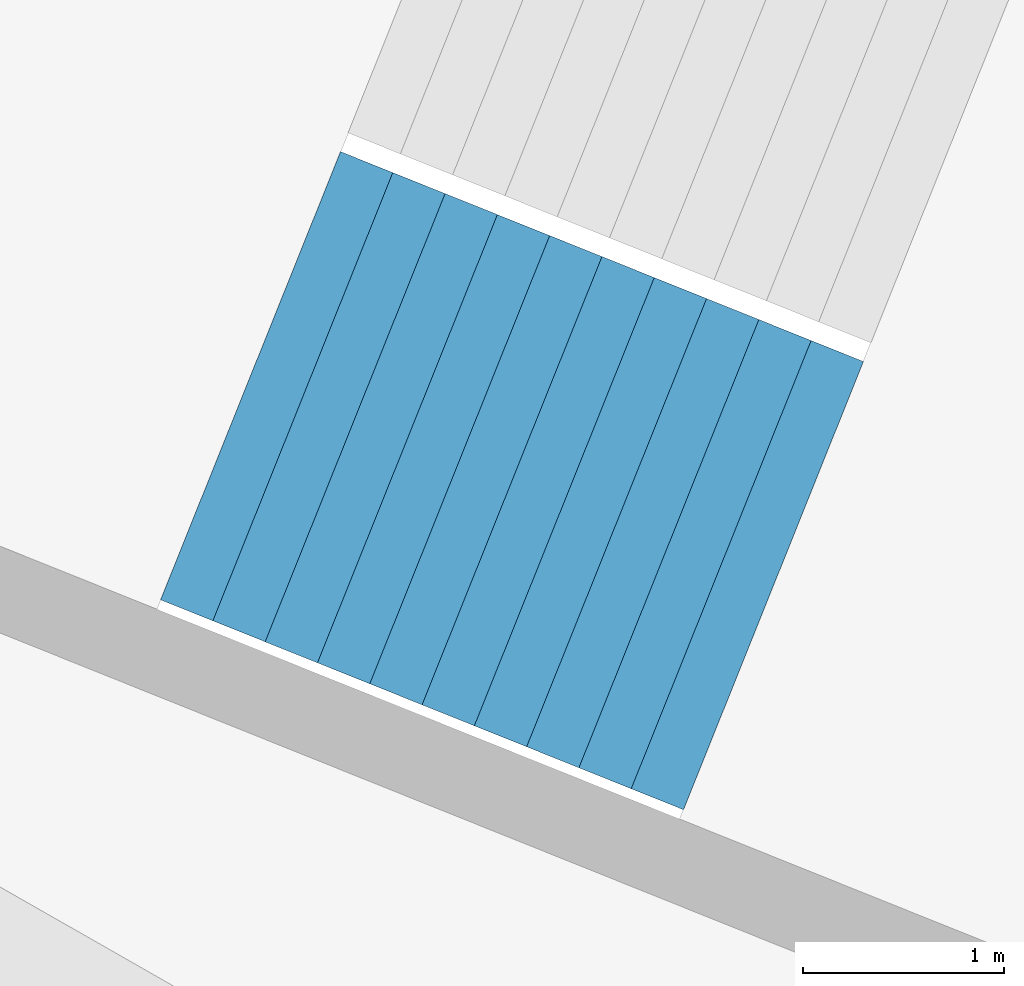
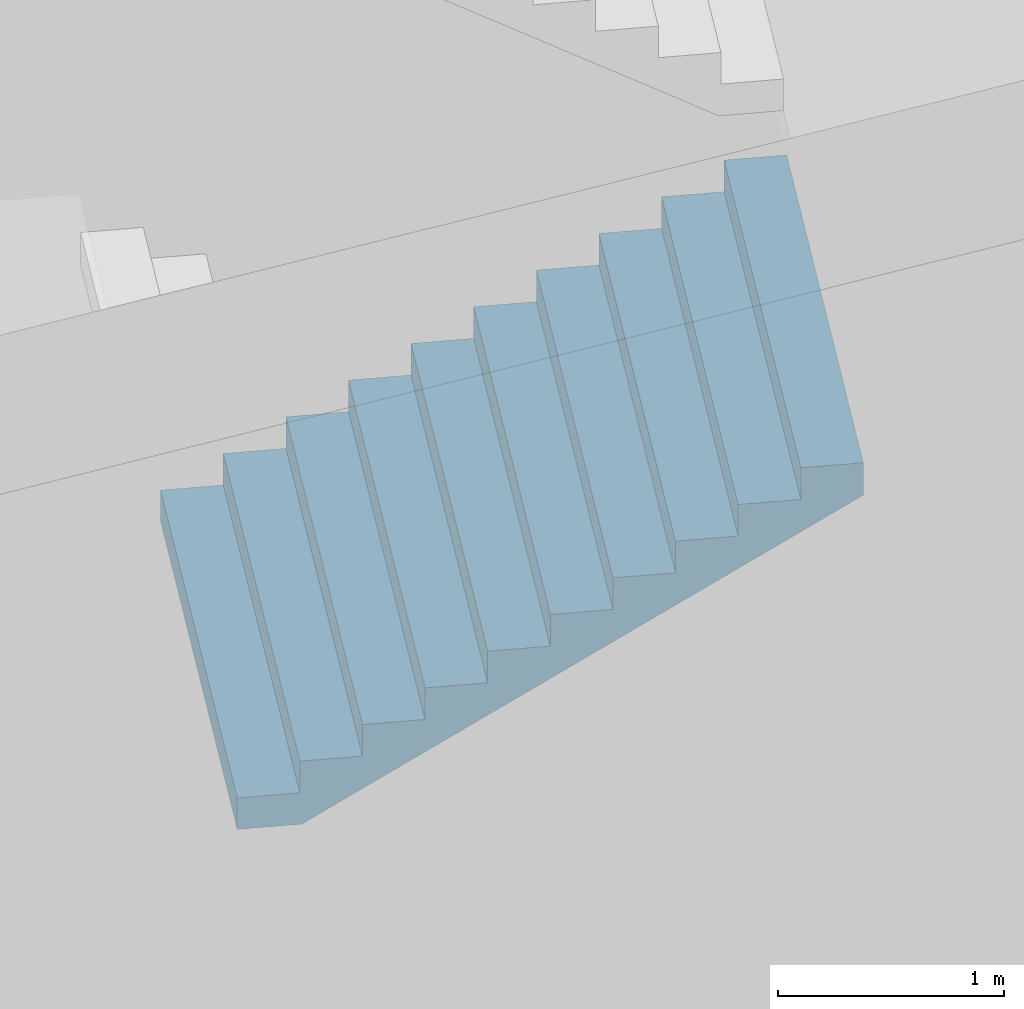
# One storey, part 50 of 73: 1 stair flight, 1 element without a shape of its own.
"""IFC4 building model written with IfcOpenShell, lengths in metres."""

from ifc_helpers import new_model, si_unit, direction, frame, origin, place, context, subcontext, project, spatial, triangles, material, type_object, element, aggregate, save


model = new_model("IFC4")

# Units and contexts
model_context = context("Model", 3, precision=1e-05, world=origin(), true_north=direction((0.0, 1.0)))
body_context = subcontext(model_context, "Body", "Model", "MODEL_VIEW")
ifc_project = project(units=[si_unit("LENGTHUNIT", "METRE"), si_unit("AREAUNIT", "SQUARE_METRE"), si_unit("VOLUMEUNIT", "CUBIC_METRE"), si_unit("PLANEANGLEUNIT", "RADIAN"), si_unit("MASSUNIT", "GRAM", prefix="KILO")], contexts=[model_context])

# Site, building, storey
site_placement = place(None, origin())
site = spatial("IfcSite", under=ifc_project, at=site_placement, CompositionType="ELEMENT")
building_placement = place(site_placement, origin())
building = spatial("IfcBuilding", under=site, at=building_placement, Name="Lantaw Convention Tower", CompositionType="ELEMENT")
storey_placement = place(building_placement, frame((0.0, 0.0, 14.5)))
storey = spatial("IfcBuildingStorey", under=building, at=storey_placement, Name="L02", CompositionType="ELEMENT", Elevation=14.5)

# Stair, stair flight
ifc_material = material(Name="Concrete C35/45", Category="concrete")
stair_type = type_object("IfcStairType", Name="Exit stair 2400 riser 170.45 in 4 flights", PredefinedType="HALF_TURN_STAIR", material=ifc_material)
stair_placement = place(storey_placement, origin())
stair = element("IfcStair", 1, at=stair_placement, inside=storey, type_object=stair_type, Name="Podium exit stair P12 L02", PredefinedType="HALF_TURN_STAIR")
stair_flight_type = type_object("IfcStairFlightType", Name="Stair flight 2400 riser 170.45", PredefinedType="STRAIGHT", material=ifc_material)
stair_flight_placement = place(storey_placement, frame((29.08642578125, -13.0234375, 3.75), z_axis=(0.0, 0.0, 1.0), x_axis=(0.928015818512, -0.372540790506, 0.0)))
stair_flight = element("IfcStairFlight", 2, at=stair_flight_placement, type_object=stair_flight_type, Name="P12 flight 3", NumberOfRisers=11, NumberOfTreads=10, PredefinedType="STRAIGHT", RiserHeight=0.170454545, TreadLength=0.28, context=body_context, shape_type="Tessellation", body=[
    triangles([(0.0, 1.199951171875, 0.0), (0.0, 1.199951171875, 0.170454545), (0.28, 1.199951171875, 0.0), (0.28, 1.199951171875, 0.170454545), (0.28, 1.199951171875, 0.34090909), (0.28827876332691904, 1.199951171875, 0.0), (0.28827876332691904, 1.199951171875, 0.34090909), (0.56, 1.199951171875, 0.16541471344266906), (0.56, 1.199951171875, 0.34090909), (0.56, 1.199951171875, 0.511363635), (0.8400000000000001, 1.199951171875, 0.335869258442669), (0.8400000000000001, 1.199951171875, 0.511363635), (0.8400000000000001, 1.199951171875, 0.68181818), (1.12, 1.199951171875, 0.506323803442669), (1.12, 1.199951171875, 0.68181818), (1.12, 1.199951171875, 0.8522727250000001), (1.4000000000000001, 1.199951171875, 0.676778348442669), (1.4000000000000001, 1.199951171875, 0.8522727250000001), (1.4000000000000001, 1.199951171875, 1.02272727), (1.6800000000000002, 1.199951171875, 0.847232893442669), (1.6800000000000002, 1.199951171875, 1.02272727), (1.6800000000000002, 1.199951171875, 1.193181815), (1.9600000000000002, 1.199951171875, 1.017687438442669), (1.9600000000000002, 1.199951171875, 1.193181815), (1.9600000000000002, 1.199951171875, 1.36363636), (2.24, 1.199951171875, 1.188141983442669), (2.24, 1.199951171875, 1.36363636), (2.24, 1.199951171875, 1.5340909050000002), (2.5200000000000005, 1.199951171875, 1.358596528442669), (2.5200000000000005, 1.199951171875, 1.5340909050000002), (2.5200000000000005, 1.199951171875, 1.7045454500000001), (2.8000000000000003, 1.199951171875, 1.529051073442669), (2.8000000000000003, 1.199951171875, 1.7045454500000001), (0.0, -1.199951171875, 0.0), (0.0, -1.199951171875, 0.170454545), (0.28, -1.199951171875, 0.0), (0.28, -1.199951171875, 0.170454545), (0.28, -1.199951171875, 0.34090909), (0.28827876332691904, -1.199951171875, 0.0), (0.28827876332691904, -1.199951171875, 0.34090909), (0.56, -1.199951171875, 0.16541471344266906), (0.56, -1.199951171875, 0.34090909), (0.56, -1.199951171875, 0.511363635), (0.8400000000000001, -1.199951171875, 0.335869258442669), (0.8400000000000001, -1.199951171875, 0.511363635), (0.8400000000000001, -1.199951171875, 0.68181818), (1.12, -1.199951171875, 0.506323803442669), (1.12, -1.199951171875, 0.68181818), (1.12, -1.199951171875, 0.8522727250000001), (1.4000000000000001, -1.199951171875, 0.676778348442669), (1.4000000000000001, -1.199951171875, 0.8522727250000001), (1.4000000000000001, -1.199951171875, 1.02272727), (1.6800000000000002, -1.199951171875, 0.847232893442669), (1.6800000000000002, -1.199951171875, 1.02272727), (1.6800000000000002, -1.199951171875, 1.193181815), (1.9600000000000002, -1.199951171875, 1.017687438442669), (1.9600000000000002, -1.199951171875, 1.193181815), (1.9600000000000002, -1.199951171875, 1.36363636), (2.24, -1.199951171875, 1.188141983442669), (2.24, -1.199951171875, 1.36363636), (2.24, -1.199951171875, 1.5340909050000002), (2.5200000000000005, -1.199951171875, 1.358596528442669), (2.5200000000000005, -1.199951171875, 1.5340909050000002), (2.5200000000000005, -1.199951171875, 1.7045454500000001), (2.8000000000000003, -1.199951171875, 1.529051073442669), (2.8000000000000003, -1.199951171875, 1.7045454500000001), (0.0, 0.239990234375, 0.170454545), (0.0, 0.239990234375, 0.0), (0.0, 0.1199951171875, 0.170454545), (0.0, 0.1199951171875, 0.0), (0.0, 0.0, 0.170454545), (0.0, 0.0, 0.0), (0.0, -0.1199951171875, 0.170454545), (0.0, -0.1199951171875, 0.0), (0.0, -0.239990234375, 0.170454545), (0.0, -0.239990234375, 0.0), (0.28, 0.239990234375, 0.34090909), (0.28, 0.239990234375, 0.170454545), (0.28, 0.1199951171875, 0.34090909), (0.28, 0.1199951171875, 0.170454545), (0.28, 0.0, 0.34090909), (0.28, 0.0, 0.170454545), (0.28, -0.1199951171875, 0.34090909), (0.28, -0.1199951171875, 0.170454545), (0.28, -0.239990234375, 0.34090909), (0.28, -0.239990234375, 0.170454545), (0.56, 0.239990234375, 0.511363635), (0.56, 0.239990234375, 0.34090909), (0.56, 0.1199951171875, 0.511363635), (0.56, 0.1199951171875, 0.34090909), (0.56, 0.0, 0.511363635), (0.56, 0.0, 0.34090909), (0.56, -0.1199951171875, 0.511363635), (0.56, -0.1199951171875, 0.34090909), (0.56, -0.239990234375, 0.511363635), (0.56, -0.239990234375, 0.34090909), (0.8400000000000001, 0.239990234375, 0.68181818), (0.8400000000000001, 0.239990234375, 0.511363635), (0.8400000000000001, 0.1199951171875, 0.68181818), (0.8400000000000001, 0.1199951171875, 0.511363635), (0.8400000000000001, 0.0, 0.68181818), (0.8400000000000001, 0.0, 0.511363635), (0.8400000000000001, -0.1199951171875, 0.68181818), (0.8400000000000001, -0.1199951171875, 0.511363635), (0.8400000000000001, -0.239990234375, 0.68181818), (0.8400000000000001, -0.239990234375, 0.511363635), (1.12, 0.239990234375, 0.8522727250000001), (1.12, 0.239990234375, 0.68181818), (1.12, 0.1199951171875, 0.8522727250000001), (1.12, 0.1199951171875, 0.68181818), (1.12, 0.0, 0.8522727250000001), (1.12, 0.0, 0.68181818), (1.12, -0.1199951171875, 0.8522727250000001), (1.12, -0.1199951171875, 0.68181818), (1.12, -0.239990234375, 0.8522727250000001), (1.12, -0.239990234375, 0.68181818), (1.4000000000000001, 0.239990234375, 1.02272727), (1.4000000000000001, 0.239990234375, 0.8522727250000001), (1.4000000000000001, 0.1199951171875, 1.02272727), (1.4000000000000001, 0.1199951171875, 0.8522727250000001), (1.4000000000000001, 0.0, 1.02272727), (1.4000000000000001, 0.0, 0.8522727250000001), (1.4000000000000001, -0.1199951171875, 1.02272727), (1.4000000000000001, -0.1199951171875, 0.8522727250000001), (1.4000000000000001, -0.239990234375, 1.02272727), (1.4000000000000001, -0.239990234375, 0.8522727250000001), (1.6800000000000002, 0.239990234375, 1.193181815), (1.6800000000000002, 0.239990234375, 1.02272727), (1.6800000000000002, 0.1199951171875, 1.193181815), (1.6800000000000002, 0.1199951171875, 1.02272727), (1.6800000000000002, 0.0, 1.193181815), (1.6800000000000002, 0.0, 1.02272727), (1.6800000000000002, -0.1199951171875, 1.193181815), (1.6800000000000002, -0.1199951171875, 1.02272727), (1.6800000000000002, -0.239990234375, 1.193181815), (1.6800000000000002, -0.239990234375, 1.02272727), (1.9600000000000002, 0.239990234375, 1.36363636), (1.9600000000000002, 0.239990234375, 1.193181815), (1.9600000000000002, 0.1199951171875, 1.36363636), (1.9600000000000002, 0.1199951171875, 1.193181815), (1.9600000000000002, 0.0, 1.36363636), (1.9600000000000002, 0.0, 1.193181815), (1.9600000000000002, -0.1199951171875, 1.36363636), (1.9600000000000002, -0.1199951171875, 1.193181815), (1.9600000000000002, -0.239990234375, 1.36363636), (1.9600000000000002, -0.239990234375, 1.193181815), (2.24, 0.239990234375, 1.5340909050000002), (2.24, 0.239990234375, 1.36363636), (2.24, 0.1199951171875, 1.5340909050000002), (2.24, 0.1199951171875, 1.36363636), (2.24, 0.0, 1.5340909050000002), (2.24, 0.0, 1.36363636), (2.24, -0.1199951171875, 1.5340909050000002), (2.24, -0.1199951171875, 1.36363636), (2.24, -0.239990234375, 1.5340909050000002), (2.24, -0.239990234375, 1.36363636), (2.5200000000000005, 0.239990234375, 1.7045454500000001), (2.5200000000000005, 0.239990234375, 1.5340909050000002), (2.5200000000000005, 0.1199951171875, 1.7045454500000001), (2.5200000000000005, 0.1199951171875, 1.5340909050000002), (2.5200000000000005, 0.0, 1.7045454500000001), (2.5200000000000005, 0.0, 1.5340909050000002), (2.5200000000000005, -0.1199951171875, 1.7045454500000001), (2.5200000000000005, -0.1199951171875, 1.5340909050000002), (2.5200000000000005, -0.239990234375, 1.7045454500000001), (2.5200000000000005, -0.239990234375, 1.5340909050000002), (0.28827876332691904, 0.239990234375, 0.34090909), (0.28827876332691904, 0.1199951171875, 0.34090909), (0.28827876332691904, 0.0, 0.34090909), (0.28827876332691904, -0.1199951171875, 0.34090909), (0.28827876332691904, -0.239990234375, 0.34090909), (2.8000000000000003, 0.239990234375, 1.7045454500000001), (2.8000000000000003, 0.1199951171875, 1.7045454500000001), (2.8000000000000003, 0.0, 1.7045454500000001), (2.8000000000000003, -0.1199951171875, 1.7045454500000001), (2.8000000000000003, -0.239990234375, 1.7045454500000001), (2.8000000000000003, 0.239990234375, 1.5290510734426692), (2.8000000000000003, 0.1199951171875, 1.5290510734426692), (2.8000000000000003, 0.0, 1.5290510734426692), (2.8000000000000003, -0.1199951171875, 1.5290510734426692), (2.8000000000000003, -0.239990234375, 1.5290510734426692), (2.5200000000000005, 0.239990234375, 1.358596528442669), (2.5200000000000005, 0.1199951171875, 1.358596528442669), (2.5200000000000005, 0.0, 1.358596528442669), (2.5200000000000005, -0.1199951171875, 1.358596528442669), (2.5200000000000005, -0.239990234375, 1.358596528442669), (2.24, 0.239990234375, 1.188141983442669), (2.24, 0.1199951171875, 1.188141983442669), (2.24, 0.0, 1.188141983442669), (2.24, -0.1199951171875, 1.188141983442669), (2.24, -0.239990234375, 1.188141983442669), (1.9600000000000002, 0.239990234375, 1.017687438442669), (1.9600000000000002, 0.1199951171875, 1.017687438442669), (1.9600000000000002, 0.0, 1.017687438442669), (1.9600000000000002, -0.1199951171875, 1.017687438442669), (1.9600000000000002, -0.239990234375, 1.017687438442669), (1.6800000000000002, 0.239990234375, 0.847232893442669), (1.6800000000000002, 0.1199951171875, 0.847232893442669), (1.6800000000000002, 0.0, 0.847232893442669), (1.6800000000000002, -0.1199951171875, 0.847232893442669), (1.6800000000000002, -0.239990234375, 0.847232893442669), (1.4000000000000001, 0.239990234375, 0.676778348442669), (1.4000000000000001, 0.1199951171875, 0.676778348442669), (1.4000000000000001, 0.0, 0.676778348442669), (1.4000000000000001, -0.1199951171875, 0.676778348442669), (1.4000000000000001, -0.239990234375, 0.676778348442669), (1.12, 0.239990234375, 0.506323803442669), (1.12, 0.1199951171875, 0.506323803442669), (1.12, 0.0, 0.506323803442669), (1.12, -0.1199951171875, 0.506323803442669), (1.12, -0.239990234375, 0.506323803442669), (0.8400000000000001, 0.239990234375, 0.335869258442669), (0.8400000000000001, 0.1199951171875, 0.335869258442669), (0.8400000000000001, 0.0, 0.335869258442669), (0.8400000000000001, -0.1199951171875, 0.335869258442669), (0.8400000000000001, -0.239990234375, 0.335869258442669), (0.56, 0.239990234375, 0.16541471344266906), (0.56, 0.1199951171875, 0.16541471344266906), (0.56, 0.0, 0.16541471344266906), (0.56, -0.1199951171875, 0.16541471344266906), (0.56, -0.239990234375, 0.16541471344266906), (0.28827876332691904, 0.239990234375, 0.0), (0.28827876332691904, 0.1199951171875, 0.0), (0.28827876332691904, 0.0, 0.0), (0.28827876332691904, -0.1199951171875, 0.0), (0.28827876332691904, -0.239990234375, 0.0), (0.28, 0.239990234375, 0.0), (0.28, 0.1199951171875, 0.0), (0.28, 0.0, 0.0), (0.28, -0.1199951171875, 0.0), (0.28, -0.239990234375, 0.0)], [[1, 4, 3], [1, 2, 4], [3, 4, 6], [4, 7, 6], [4, 5, 7], [6, 9, 8], [6, 7, 9], [8, 9, 11], [9, 12, 11], [9, 10, 12], [11, 12, 14], [12, 15, 14], [12, 13, 15], [14, 15, 17], [15, 18, 17], [15, 16, 18], [17, 18, 20], [18, 21, 20], [18, 19, 21], [20, 21, 23], [21, 24, 23], [21, 22, 24], [23, 24, 26], [24, 27, 26], [24, 25, 27], [26, 27, 29], [27, 30, 29], [27, 28, 30], [29, 30, 32], [30, 33, 32], [30, 31, 33], [34, 36, 37], [34, 37, 35], [36, 39, 37], [37, 39, 40], [37, 40, 38], [39, 41, 42], [39, 42, 40], [41, 44, 42], [42, 44, 45], [42, 45, 43], [44, 47, 45], [45, 47, 48], [45, 48, 46], [47, 50, 48], [48, 50, 51], [48, 51, 49], [50, 53, 51], [51, 53, 54], [51, 54, 52], [53, 56, 54], [54, 56, 57], [54, 57, 55], [56, 59, 57], [57, 59, 60], [57, 60, 58], [59, 62, 60], [60, 62, 63], [60, 63, 61], [62, 65, 63], [63, 65, 66], [63, 66, 64], [1, 67, 2], [1, 68, 67], [68, 69, 67], [68, 70, 69], [70, 71, 69], [70, 72, 71], [72, 73, 71], [72, 74, 73], [74, 75, 73], [74, 76, 75], [76, 35, 75], [76, 34, 35], [4, 77, 5], [4, 78, 77], [78, 79, 77], [78, 80, 79], [80, 81, 79], [80, 82, 81], [82, 83, 81], [82, 84, 83], [84, 85, 83], [84, 86, 85], [86, 38, 85], [86, 37, 38], [9, 87, 10], [9, 88, 87], [88, 89, 87], [88, 90, 89], [90, 91, 89], [90, 92, 91], [92, 93, 91], [92, 94, 93], [94, 95, 93], [94, 96, 95], [96, 43, 95], [96, 42, 43], [12, 97, 13], [12, 98, 97], [98, 99, 97], [98, 100, 99], [100, 101, 99], [100, 102, 101], [102, 103, 101], [102, 104, 103], [104, 105, 103], [104, 106, 105], [106, 46, 105], [106, 45, 46], [15, 107, 16], [15, 108, 107], [108, 109, 107], [108, 110, 109], [110, 111, 109], [110, 112, 111], [112, 113, 111], [112, 114, 113], [114, 115, 113], [114, 116, 115], [116, 49, 115], [116, 48, 49], [18, 117, 19], [18, 118, 117], [118, 119, 117], [118, 120, 119], [120, 121, 119], [120, 122, 121], [122, 123, 121], [122, 124, 123], [124, 125, 123], [124, 126, 125], [126, 52, 125], [126, 51, 52], [21, 127, 22], [21, 128, 127], [128, 129, 127], [128, 130, 129], [130, 131, 129], [130, 132, 131], [132, 133, 131], [132, 134, 133], [134, 135, 133], [134, 136, 135], [136, 55, 135], [136, 54, 55], [24, 137, 25], [24, 138, 137], [138, 139, 137], [138, 140, 139], [140, 141, 139], [140, 142, 141], [142, 143, 141], [142, 144, 143], [144, 145, 143], [144, 146, 145], [146, 58, 145], [146, 57, 58], [27, 147, 28], [27, 148, 147], [148, 149, 147], [148, 150, 149], [150, 151, 149], [150, 152, 151], [152, 153, 151], [152, 154, 153], [154, 155, 153], [154, 156, 155], [156, 61, 155], [156, 60, 61], [30, 157, 31], [30, 158, 157], [158, 159, 157], [158, 160, 159], [160, 161, 159], [160, 162, 161], [162, 163, 161], [162, 164, 163], [164, 165, 163], [164, 166, 165], [166, 64, 165], [166, 63, 64], [2, 78, 4], [2, 67, 78], [67, 80, 78], [67, 69, 80], [69, 82, 80], [69, 71, 82], [71, 84, 82], [71, 73, 84], [73, 86, 84], [73, 75, 86], [75, 37, 86], [75, 35, 37], [5, 167, 7], [5, 77, 167], [77, 168, 167], [77, 79, 168], [79, 169, 168], [79, 81, 169], [81, 170, 169], [81, 83, 170], [83, 171, 170], [83, 85, 171], [85, 40, 171], [85, 38, 40], [7, 88, 9], [7, 167, 88], [167, 90, 88], [167, 168, 90], [168, 92, 90], [168, 169, 92], [169, 94, 92], [169, 170, 94], [170, 96, 94], [170, 171, 96], [171, 42, 96], [171, 40, 42], [10, 98, 12], [10, 87, 98], [87, 100, 98], [87, 89, 100], [89, 102, 100], [89, 91, 102], [91, 104, 102], [91, 93, 104], [93, 106, 104], [93, 95, 106], [95, 45, 106], [95, 43, 45], [13, 108, 15], [13, 97, 108], [97, 110, 108], [97, 99, 110], [99, 112, 110], [99, 101, 112], [101, 114, 112], [101, 103, 114], [103, 116, 114], [103, 105, 116], [105, 48, 116], [105, 46, 48], [16, 118, 18], [16, 107, 118], [107, 120, 118], [107, 109, 120], [109, 122, 120], [109, 111, 122], [111, 124, 122], [111, 113, 124], [113, 126, 124], [113, 115, 126], [115, 51, 126], [115, 49, 51], [19, 128, 21], [19, 117, 128], [117, 130, 128], [117, 119, 130], [119, 132, 130], [119, 121, 132], [121, 134, 132], [121, 123, 134], [123, 136, 134], [123, 125, 136], [125, 54, 136], [125, 52, 54], [22, 138, 24], [22, 127, 138], [127, 140, 138], [127, 129, 140], [129, 142, 140], [129, 131, 142], [131, 144, 142], [131, 133, 144], [133, 146, 144], [133, 135, 146], [135, 57, 146], [135, 55, 57], [25, 148, 27], [25, 137, 148], [137, 150, 148], [137, 139, 150], [139, 152, 150], [139, 141, 152], [141, 154, 152], [141, 143, 154], [143, 156, 154], [143, 145, 156], [145, 60, 156], [145, 58, 60], [28, 158, 30], [28, 147, 158], [147, 160, 158], [147, 149, 160], [149, 162, 160], [149, 151, 162], [151, 164, 162], [151, 153, 164], [153, 166, 164], [153, 155, 166], [155, 63, 166], [155, 61, 63], [31, 172, 33], [31, 157, 172], [157, 173, 172], [157, 159, 173], [159, 174, 173], [159, 161, 174], [161, 175, 174], [161, 163, 175], [163, 176, 175], [163, 165, 176], [165, 66, 176], [165, 64, 66], [33, 177, 32], [33, 172, 177], [172, 178, 177], [172, 173, 178], [173, 179, 178], [173, 174, 179], [174, 180, 179], [174, 175, 180], [175, 181, 180], [175, 176, 181], [176, 65, 181], [176, 66, 65], [32, 182, 29], [32, 177, 182], [177, 183, 182], [177, 178, 183], [178, 184, 183], [178, 179, 184], [179, 185, 184], [179, 180, 185], [180, 186, 185], [180, 181, 186], [181, 62, 186], [181, 65, 62], [29, 187, 26], [29, 182, 187], [182, 188, 187], [182, 183, 188], [183, 189, 188], [183, 184, 189], [184, 190, 189], [184, 185, 190], [185, 191, 190], [185, 186, 191], [186, 59, 191], [186, 62, 59], [26, 192, 23], [26, 187, 192], [187, 193, 192], [187, 188, 193], [188, 194, 193], [188, 189, 194], [189, 195, 194], [189, 190, 195], [190, 196, 195], [190, 191, 196], [191, 56, 196], [191, 59, 56], [23, 197, 20], [23, 192, 197], [192, 198, 197], [192, 193, 198], [193, 199, 198], [193, 194, 199], [194, 200, 199], [194, 195, 200], [195, 201, 200], [195, 196, 201], [196, 53, 201], [196, 56, 53], [20, 202, 17], [20, 197, 202], [197, 203, 202], [197, 198, 203], [198, 204, 203], [198, 199, 204], [199, 205, 204], [199, 200, 205], [200, 206, 205], [200, 201, 206], [201, 50, 206], [201, 53, 50], [17, 207, 14], [17, 202, 207], [202, 208, 207], [202, 203, 208], [203, 209, 208], [203, 204, 209], [204, 210, 209], [204, 205, 210], [205, 211, 210], [205, 206, 211], [206, 47, 211], [206, 50, 47], [14, 212, 11], [14, 207, 212], [207, 213, 212], [207, 208, 213], [208, 214, 213], [208, 209, 214], [209, 215, 214], [209, 210, 215], [210, 216, 215], [210, 211, 216], [211, 44, 216], [211, 47, 44], [11, 217, 8], [11, 212, 217], [212, 218, 217], [212, 213, 218], [213, 219, 218], [213, 214, 219], [214, 220, 219], [214, 215, 220], [215, 221, 220], [215, 216, 221], [216, 41, 221], [216, 44, 41], [8, 222, 6], [8, 217, 222], [217, 223, 222], [217, 218, 223], [218, 224, 223], [218, 219, 224], [219, 225, 224], [219, 220, 225], [220, 226, 225], [220, 221, 226], [221, 39, 226], [221, 41, 39], [6, 227, 3], [6, 222, 227], [222, 228, 227], [222, 223, 228], [223, 229, 228], [223, 224, 229], [224, 230, 229], [224, 225, 230], [225, 231, 230], [225, 226, 231], [226, 36, 231], [226, 39, 36], [3, 68, 1], [3, 227, 68], [227, 70, 68], [227, 228, 70], [228, 72, 70], [228, 229, 72], [229, 74, 72], [229, 230, 74], [230, 76, 74], [230, 231, 76], [231, 34, 76], [231, 36, 34]], closed=True),
])
aggregate(stair, [stair_flight])

save(model, "model.ifc")
